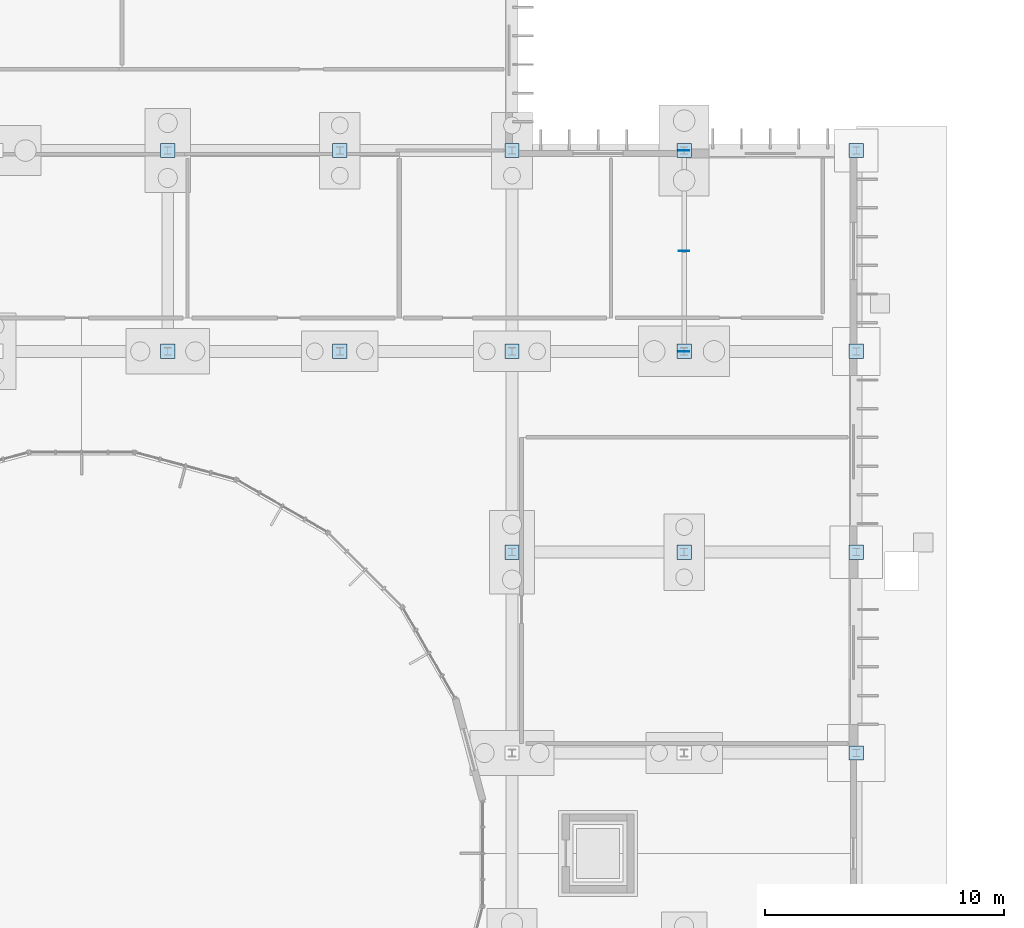
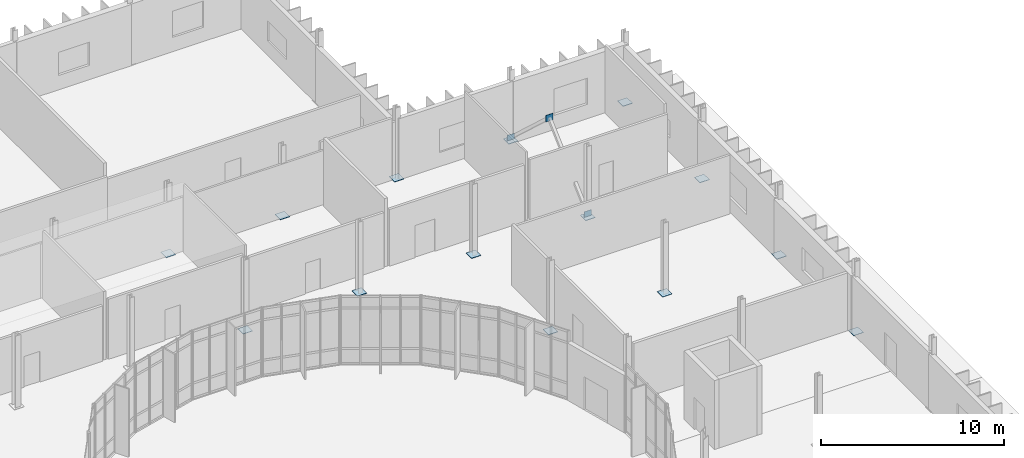
# One storey, part 86 of 118: 17 plates.
"""IFC4 building model written with IfcOpenShell, lengths in metres."""

from ifc_helpers import new_model, si_unit, direction, frame, origin, origin_2d, place, context, subcontext, project, spatial, rectangle, extrude, material, layer, layer_set, type_object, element, save


model = new_model("IFC4")

# Units and contexts
model_context = context("Model", 3, precision=1e-05, world=origin(), true_north=direction((0.0, 1.0)))
body_context = subcontext(model_context, "Body", "Model", "MODEL_VIEW")
ifc_project = project(units=[si_unit("LENGTHUNIT", "METRE"), si_unit("AREAUNIT", "SQUARE_METRE"), si_unit("VOLUMEUNIT", "CUBIC_METRE"), si_unit("PLANEANGLEUNIT", "RADIAN"), si_unit("MASSUNIT", "GRAM", prefix="KILO")], contexts=[model_context])

# Site, building, storey
site_placement = place(None, origin())
site = spatial("IfcSite", under=ifc_project, at=site_placement, CompositionType="ELEMENT")
building_placement = place(site_placement, origin())
building = spatial("IfcBuilding", under=site, at=building_placement, Name="Qelthora Terrace Specialist Clinic", CompositionType="ELEMENT")
storey_placement = place(building_placement, origin())
storey = spatial("IfcBuildingStorey", under=building, at=storey_placement, Name="L00", CompositionType="ELEMENT", Elevation=0.0)

# Plates
ifc_material = material(Name="Steel S355", Category="steel")
ifc_layer_1 = layer(ifc_material, 0.030029296875)
ifc_layer_set_1 = layer_set([ifc_layer_1], Name="Steel S355")
plate_type_1 = type_object("IfcPlateType", Name="PLT-BASE-600X600X30", PredefinedType="USERDEFINED", material=ifc_layer_set_1)
for number, where, z_axis, x_axis, name in (
    (1, (129.60009765625, 84.0, 0.0), (0.0, 0.0, 1.0), (1.0, 0.0, 0.0), "Steel column base plate BPLT-179"),
    (2, (129.60009765625, 92.39990234375, 0.0), (0.0, 0.0, 1.0), (1.0, 0.0, 0.0), "Steel column base plate BPLT-180"),
    (3, (136.800048828125, 84.0, 0.0), (0.0, 0.0, 1.0), (1.0, 0.0, 0.0), "Steel column base plate BPLT-187"),
    (4, (136.800048828125, 92.39990234375, 0.0), (0.0, 0.0, 1.0), (1.0, 0.0, 0.0), "Steel column base plate BPLT-188"),
    (5, (144.0, 75.60009765625, 0.0), (0.0, 0.0, 1.0), (1.0, 0.0, 0.0), "Steel column base plate BPLT-198"),
    (6, (144.0, 84.0, 0.0), (0.0, 0.0, 1.0), (1.0, 0.0, 0.0), "Steel column base plate BPLT-199"),
    (7, (144.0, 92.39990234375, 0.0), (0.0, 0.0, 1.0), (1.0, 0.0, 0.0), "Steel column base plate BPLT-200"),
    (8, (151.199951171875, 75.60009765625, 0.0), (0.0, 0.0, 1.0), (1.0, 0.0, 0.0), "Steel column base plate BPLT-212"),
    (9, (151.199951171875, 84.0, 0.0), (0.0, 0.0, 1.0), (1.0, 0.0, 0.0), "Steel column base plate BPLT-213"),
    (10, (151.199951171875, 92.39990234375, 0.0), (0.0, 0.0, 1.0), (1.0, 0.0, 0.0), "Steel column base plate BPLT-214"),
    (11, (158.39990234375, 67.199951171875, 0.0), (0.0, 0.0, 1.0), (1.0, 0.0, 0.0), "Steel column base plate BPLT-223"),
    (12, (158.39990234375, 75.60009765625, 0.0), (0.0, 0.0, 1.0), (1.0, 0.0, 0.0), "Steel column base plate BPLT-224"),
    (13, (158.39990234375, 84.0, 0.0), (0.0, 0.0, 1.0), (1.0, 0.0, 0.0), "Steel column base plate BPLT-225"),
    (14, (158.39990234375, 92.39990234375, 0.0), (0.0, 0.0, 1.0), (1.0, 0.0, 0.0), "Steel column base plate BPLT-226"),
):
    element("IfcPlate", number, at=place(storey_placement, frame(where, z_axis=z_axis, x_axis=x_axis)), inside=storey, type_object=plate_type_1, Name=name, ObjectType="GUSSET PLATE", PredefinedType="USERDEFINED", context=body_context, shape_type="SweptSolid", body=[
        extrude(rectangle(XDim=0.60009765625, YDim=0.60009765625, at=origin_2d()), origin(), (0.0, 0.0, 1.0), 0.030029296875),
    ])
ifc_layer_2 = layer(ifc_material, 0.02001953125)
ifc_layer_set_2 = layer_set([ifc_layer_2], Name="Steel S355")
plate_type_2 = type_object("IfcPlateType", Name="PLT-GUS-480X480X20", PredefinedType="USERDEFINED", material=ifc_layer_set_2)
for number, where, z_axis, x_axis, name in (
    (15, (151.199951171875, 84.0, -0.0400390625), (0.0, 0.0, 1.0), (1.0, 0.0, 0.0), "Steel truss node plate GPLT-0167"),
    (16, (151.199951171875, 88.199951171875, 3.830078125), (0.0, 0.0, 1.0), (1.0, 0.0, 0.0), "Steel truss node plate GPLT-0168"),
    (17, (151.199951171875, 92.39990234375, -0.0400390625), (0.0, 0.0, 1.0), (1.0, 0.0, 0.0), "Steel truss node plate GPLT-0169"),
):
    element("IfcPlate", number, at=place(storey_placement, frame(where, z_axis=z_axis, x_axis=x_axis)), inside=storey, type_object=plate_type_2, Name=name, ObjectType="GUSSET PLATE", PredefinedType="USERDEFINED", context=body_context, shape_type="SweptSolid", body=[
        extrude(rectangle(XDim=0.43994140625, YDim=0.02001953125, at=origin_2d()), origin(), (0.0, 0.0, 1.0), 0.43994140625),
    ])

save(model, "model.ifc")
